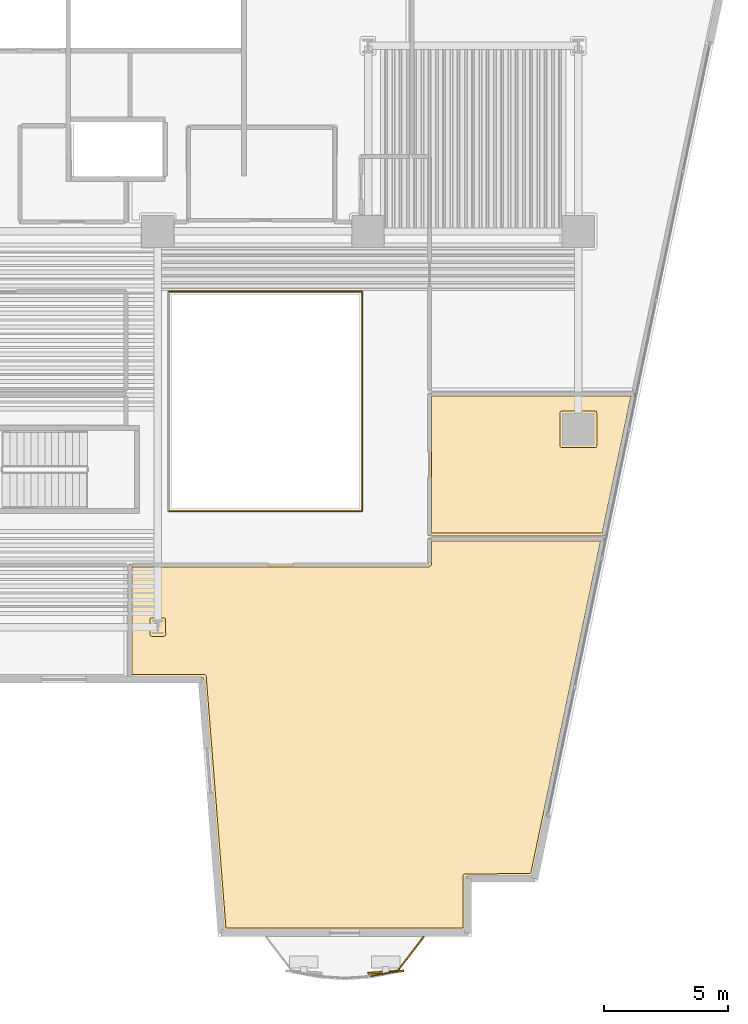
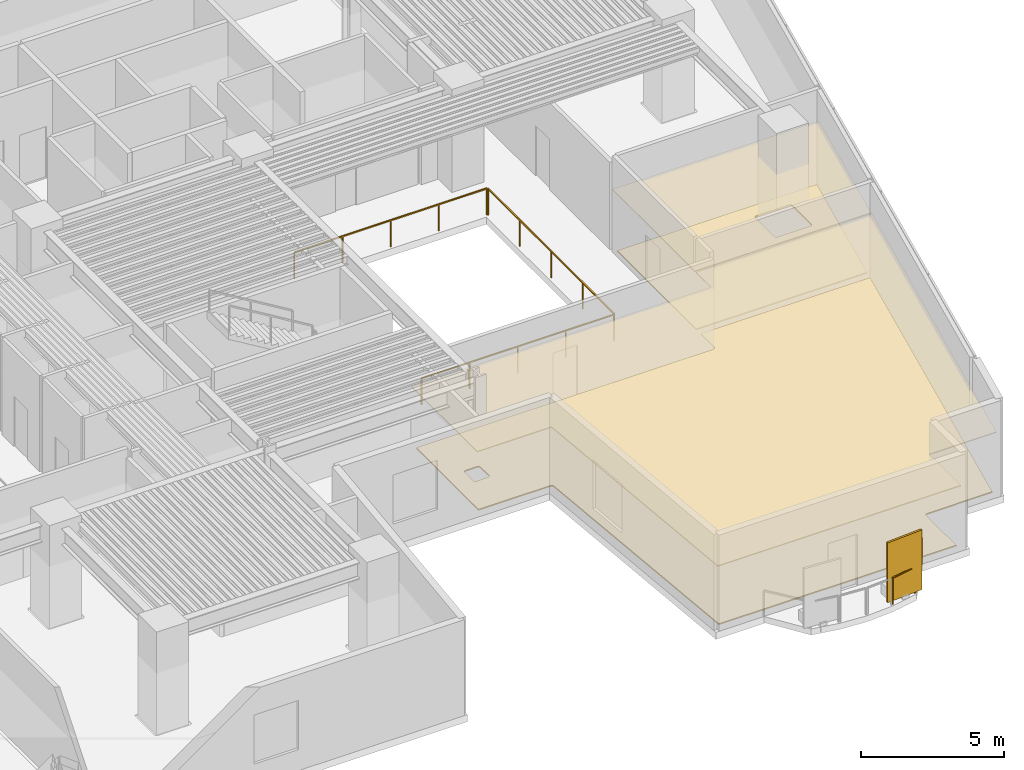
# One storey, part 9 of 11: 5 railings, 4 coverings, 1 shading device.
"""IFC4 building model written with IfcOpenShell, lengths in metres."""

import ifcopenshell
import ifcopenshell.guid

model = None  # the IFC model being written
_history = None  # IfcOwnerHistory: only IFC2X3 demands one
_inside = {}  # id of a spatial element -> (the spatial element, [elements in it])
_under = {}  # id of a project, library or spatial element -> (it, [spatial elements below it])
_declared = {}  # id of a project -> (the project, [libraries it declares])
_typed = {}  # id of a type object -> (the type object, [elements of that type])
_made_of = {}  # id of a material, layer set ... -> (it, [elements and type objects made of it])


def new_model(schema):
    """Start an empty IFC model of exactly this schema.

    Asked for "IFC4X3", IfcOpenShell would pick the latest addendum, in which some entities
    have other attributes; the version numbers below select the first issue.
    IFC2X3 requires an IfcOwnerHistory on every rooted entity: one is made here for all.
    """
    global model, _history
    if schema == "IFC4X3":
        model = ifcopenshell.file(schema_version=(4, 3, 0, 0))
    else:
        model = ifcopenshell.file(schema=schema)
    _inside.clear()
    _under.clear()
    _declared.clear()
    _typed.clear()
    _made_of.clear()
    _history = None
    if model.schema == "IFC2X3":
        org = make("IfcOrganization", Name="unknown")
        user = make(
            "IfcPersonAndOrganization",
            ThePerson=make("IfcPerson", FamilyName="unknown"),
            TheOrganization=org,
        )
        app = make(
            "IfcApplication",
            ApplicationDeveloper=org,
            Version="unknown",
            ApplicationFullName="unknown",
            ApplicationIdentifier="unknown",
        )
        _history = make(
            "IfcOwnerHistory",
            OwningUser=user,
            OwningApplication=app,
            ChangeAction="ADDED",
            CreationDate=0,
        )
    return model


def make(cls, **values):
    """One entity of the class cls with the attributes given. An attribute that is None is left unset."""
    return model.create_entity(
        cls, **{name: value for name, value in values.items() if value is not None}
    )


def rooted(cls, **values):
    """An entity with a GlobalId (a new one), such as an element, a storey or a relation."""
    return make(cls, GlobalId=ifcopenshell.guid.new(), OwnerHistory=_history, **values)


def si_unit(unit_type, name, prefix=None):
    """IfcSIUnit, for example si_unit("LENGTHUNIT", "METRE", prefix="MILLI")."""
    return make("IfcSIUnit", UnitType=unit_type, Prefix=prefix, Name=name)


def assignment(units):
    """IfcUnitAssignment: the units of a project."""
    return None if units is None else make("IfcUnitAssignment", Units=units)


def point(xyz):
    """IfcCartesianPoint."""
    return None if xyz is None else make("IfcCartesianPoint", Coordinates=xyz)


def direction(xyz):
    """IfcDirection."""
    return None if xyz is None else make("IfcDirection", DirectionRatios=xyz)


def frame(location, z_axis=None, x_axis=None):
    """IfcAxis2Placement3D, a coordinate frame: its origin and axes. An axis left out is left unset."""
    return make(
        "IfcAxis2Placement3D",
        Location=point(location),
        Axis=direction(z_axis),
        RefDirection=direction(x_axis),
    )


def frame_2d(location, x_axis=None):
    """IfcAxis2Placement2D, a coordinate frame in the plane: its origin and x axis."""
    return make(
        "IfcAxis2Placement2D", Location=point(location), RefDirection=direction(x_axis)
    )


def origin():
    """The frame at (0, 0, 0) with its axes left unset."""
    return frame((0.0, 0.0, 0.0))


def origin_2d():
    """The frame at (0, 0) in the plane with its x axis left unset."""
    return frame_2d((0.0, 0.0))


def place(relative_to, where):
    """IfcLocalPlacement: puts the frame where relative to a parent placement (None: the world)."""
    return make(
        "IfcLocalPlacement", PlacementRelTo=relative_to, RelativePlacement=where
    )


def context(
    kind, dimensions, precision=None, world=None, true_north=None, identifier=None
):
    """IfcGeometricRepresentationContext, for example the 3D "Model" context."""
    return make(
        "IfcGeometricRepresentationContext",
        ContextIdentifier=identifier,
        ContextType=kind,
        CoordinateSpaceDimension=dimensions,
        Precision=precision,
        WorldCoordinateSystem=world,
        TrueNorth=true_north,
    )


def subcontext(parent, identifier, kind, view, scale=None):
    """IfcGeometricRepresentationSubContext, for example "Body" below "Model"."""
    return make(
        "IfcGeometricRepresentationSubContext",
        ContextIdentifier=identifier,
        ContextType=kind,
        ParentContext=parent,
        TargetScale=scale,
        TargetView=view,
    )


def project(units=None, contexts=None):
    """IfcProject with its units and contexts."""
    return rooted(
        "IfcProject",
        Name="project",
        RepresentationContexts=contexts,
        UnitsInContext=assignment(units),
    )


def spatial(cls, under=None, at=None, **own):
    """A site, building, storey or space (cls), placed at a placement, below another one or the project."""
    s = rooted(cls, ObjectPlacement=at, **own)
    if under is not None:
        _under.setdefault(under.id(), (under, []))[1].append(s)
    return s


def polyline(points):
    """IfcPolyline through the points."""
    return make("IfcPolyline", Points=[point(p) for p in points])


def profile(cls, at=None, kind="AREA", **sizes):
    """A parametric profile (cls). Its sizes go by their IFC names, for example OverallWidth=200.0."""
    return make(cls, ProfileType=kind, Position=at, **sizes)


def rectangle(**sizes):
    """IfcRectangleProfileDef."""
    return profile("IfcRectangleProfileDef", **sizes)


def outline(outer, holes=None, kind="AREA"):
    """IfcArbitraryClosedProfileDef: a profile drawn as a closed curve; with holes, ...WithVoids."""
    if holes is None:
        return make("IfcArbitraryClosedProfileDef", ProfileType=kind, OuterCurve=outer)
    return make(
        "IfcArbitraryProfileDefWithVoids",
        ProfileType=kind,
        OuterCurve=outer,
        InnerCurves=holes,
    )


def extrude(swept, where, along, depth):
    """IfcExtrudedAreaSolid: the profile swept, set in the frame where, extruded along a direction by depth."""
    return make(
        "IfcExtrudedAreaSolid",
        SweptArea=swept,
        Position=where,
        ExtrudedDirection=direction(along),
        Depth=depth,
    )


def shape(context_of_items, identifier, shape_type, items):
    """IfcShapeRepresentation: the items that make up one representation, for example the "Body"."""
    return make(
        "IfcShapeRepresentation",
        ContextOfItems=context_of_items,
        RepresentationIdentifier=identifier,
        RepresentationType=shape_type,
        Items=items,
    )


def material(Name=None, Category=None):
    """IfcMaterial."""
    return make("IfcMaterial", Name=Name, Category=Category)


def layer(
    of_material, thickness, ventilated=None, Name=None, Category=None, Priority=None
):
    """IfcMaterialLayer: one layer of a wall or slab, of a material (None: an air gap)."""
    return make(
        "IfcMaterialLayer",
        Material=of_material,
        LayerThickness=thickness,
        IsVentilated=ventilated,
        Name=Name,
        Category=Category,
        Priority=Priority,
    )


def layer_set(layers, Name=None):
    """IfcMaterialLayerSet."""
    return make("IfcMaterialLayerSet", MaterialLayers=layers, LayerSetName=Name)


def made_of(thing, what):
    """Note that an element or type object is made of a material, layer set ...; save() writes the relation."""
    if what is not None:
        _made_of.setdefault(what.id(), (what, []))[1].append(thing)
    return thing


def type_object(cls, material=None, **own):
    """A type object (cls), such as IfcWallType, which elements share."""
    return made_of(rooted(cls, **own), material)


def element(
    cls,
    number,
    at=None,
    inside=None,
    cuts=None,
    type_object=None,
    material=None,
    context=None,
    identifier="Body",
    shape_type=None,
    held_by="IfcProductDefinitionShape",
    body=None,
    shapes=None,
    **own,
):
    """One element of the class cls, such as IfcWall. Its Tag is "e" and its number.

    at: its placement. inside: the storey or other place that contains it. cuts: it is an
    opening in that element (IfcRelVoidsElement). A single representation is given by context,
    identifier, shape_type and body (its items); several are given by shapes. held_by: the class
    of the entity that holds the representations. save() writes the other relations.
    """
    e = rooted(cls, Tag="e%d" % number, ObjectPlacement=at, **own)
    if body is not None:
        shapes = [shape(context, identifier, shape_type, body)]
    if shapes is not None:
        e.Representation = make(held_by, Representations=shapes)
    if inside is not None:
        _inside.setdefault(inside.id(), (inside, []))[1].append(e)
    if cuts is not None:
        rooted(
            "IfcRelVoidsElement", RelatingBuildingElement=cuts, RelatedOpeningElement=e
        )
    if type_object is not None:
        _typed.setdefault(type_object.id(), (type_object, []))[1].append(e)
    return made_of(e, material)


def aggregate(whole, parts):
    """IfcRelAggregates: a whole, such as a stair, and the parts it consists of."""
    return rooted("IfcRelAggregates", RelatingObject=whole, RelatedObjects=parts)


def save(model, path):
    """Write the relations noted so far, then the file.

    IfcRelAggregates (storeys below a building ...), IfcRelContainedInSpatialStructure (elements
    in a storey), IfcRelDefinesByType, IfcRelAssociatesMaterial and IfcRelDeclares: one each for
    every whole, place, type object, material and project.
    """
    for whole, parts in _under.values():
        aggregate(whole, parts)
    for where, things in _inside.values():
        rooted(
            "IfcRelContainedInSpatialStructure",
            RelatedElements=things,
            RelatingStructure=where,
        )
    for kind, things in _typed.values():
        rooted("IfcRelDefinesByType", RelatedObjects=things, RelatingType=kind)
    for what, things in _made_of.values():
        rooted("IfcRelAssociatesMaterial", RelatedObjects=things, RelatingMaterial=what)
    for by, libraries in _declared.values():
        rooted("IfcRelDeclares", RelatingContext=by, RelatedDefinitions=libraries)
    model.write(path)


model = new_model("IFC4")

# Units and contexts
model_context = context("Model", 3, precision=1e-05, world=origin(), true_north=direction((0.0, 1.0)))
body_context = subcontext(model_context, "Body", "Model", "MODEL_VIEW")
ifc_project = project(units=[si_unit("LENGTHUNIT", "METRE"), si_unit("AREAUNIT", "SQUARE_METRE"), si_unit("VOLUMEUNIT", "CUBIC_METRE"), si_unit("PLANEANGLEUNIT", "RADIAN"), si_unit("MASSUNIT", "GRAM", prefix="KILO")], contexts=[model_context])

# Site, building, storey
site_placement = place(None, origin())
site = spatial("IfcSite", under=ifc_project, at=site_placement, CompositionType="ELEMENT")
building_placement = place(site_placement, origin())
building = spatial("IfcBuilding", under=site, at=building_placement, Name="Caeloran Harvest Quay", CompositionType="ELEMENT")
storey_placement = place(building_placement, frame((0.0, 0.0, 66.60009765625)))
storey = spatial("IfcBuildingStorey", under=building, at=storey_placement, Name="L15", CompositionType="ELEMENT", Elevation=66.60009765625)

# Coverings
ifc_material_1 = material(Name="Perforated Mineral-Fibre Acoustic Ceiling Tile", Category="ceiling")
ifc_layer_1 = layer(ifc_material_1, 0.0400390625, Name="Perforated Mineral-Fibre Acoustic Ceiling Tile")
ifc_layer_set_1 = layer_set([ifc_layer_1], Name="Perforated Mineral-Fibre Acoustic Ceiling Tile")
covering_type_1 = type_object("IfcCoveringType", Name="COV-CEILING-ACOUSTIC", PredefinedType="CEILING", material=ifc_layer_set_1)
covering_1_placement = place(storey_placement, frame((0.0, 0.0, 2.599853515625)))
element("IfcCovering", 1, at=covering_1_placement, inside=storey, type_object=covering_type_1, Name="Medicinal Plant Aeroponic Room Acoustic Ceiling", PredefinedType="CEILING", context=body_context, shape_type="SweptSolid", body=[
    extrude(outline(polyline([(32.840087890625, 17.56005859375), (44.93994140625, 17.56005859375), (44.93994140625, 18.610107421875), (52.04638671875, 18.610107421875), (49.170654296875, 4.919921875), (46.467041015625, 4.919921875), (46.467041015625, 2.719970703125), (36.64404296875, 2.719970703125), (35.843994140625, 12.969970703125), (32.840087890625, 12.969970703125), (32.840087890625, 17.56005859375)])), origin(), (0.0, 0.0, 1.0), 0.0400390625),
])
covering_2_placement = place(storey_placement, frame((0.0, 0.0, 2.599853515625)))
element("IfcCovering", 2, at=covering_2_placement, inside=storey, type_object=covering_type_1, Name="Packaging Crate Laboratory Acoustic Ceiling", PredefinedType="CEILING", context=body_context, shape_type="SweptSolid", body=[
    extrude(outline(polyline([(44.93994140625, 24.4599609375), (53.275390625, 24.4599609375), (52.063232421875, 18.68994140625), (44.93994140625, 18.68994140625), (44.93994140625, 24.4599609375)])), origin(), (0.0, 0.0, 1.0), 0.0400390625),
])
ifc_material_2 = material(Name="Calcium-Sulphate Raised Access Floor and Terrazzo Finish", Category="flooring")
ifc_layer_2 = layer(ifc_material_2, 0.050048828125, Name="Calcium-Sulphate Raised Access Floor and Terrazzo Finish")
ifc_layer_set_2 = layer_set([ifc_layer_2], Name="Calcium-Sulphate Raised Access Floor and Terrazzo Finish")
covering_type_2 = type_object("IfcCoveringType", Name="COV-FLOOR-RAISED", PredefinedType="FLOORING", material=ifc_layer_set_2)
covering_3_placement = place(storey_placement, origin())
element("IfcCovering", 3, at=covering_3_placement, inside=storey, type_object=covering_type_2, Name="Medicinal Plant Aeroponic Room Raised Finish Flooring", PredefinedType="FLOORING", context=body_context, shape_type="SweptSolid", body=[
    extrude(outline(polyline([(32.9599609375, 13.090087890625), (32.9599609375, 17.43994140625), (44.98779296875, 17.4404296875), (45.0595703125, 17.51220703125), (45.06005859375, 18.489990234375), (51.898681640625, 18.489990234375), (49.0732421875, 5.0400390625), (46.376220703125, 5.021728515625), (46.346923828125, 4.9599609375), (46.346923828125, 2.840087890625), (36.7548828125, 2.840087890625), (35.955322265625, 13.039306640625), (35.881103515625, 13.090087890625), (32.9599609375, 13.090087890625)]), holes=[polyline([(33.758056640625, 15.37939453125), (33.701416015625, 15.356201171875), (33.678466796875, 15.307373046875), (33.69140625, 14.656005859375), (33.758056640625, 14.62060546875), (34.286376953125, 14.634033203125), (34.322021484375, 14.700439453125), (34.30859375, 15.343994140625), (34.249755859375, 15.379150390625), (33.758056640625, 15.37939453125)])]), origin(), (0.0, 0.0, 1.0), 0.0498046875),
])
covering_4_placement = place(storey_placement, origin())
element("IfcCovering", 4, at=covering_4_placement, inside=storey, type_object=covering_type_2, Name="Packaging Crate Laboratory Raised Finish Flooring", PredefinedType="FLOORING", context=body_context, shape_type="SweptSolid", body=[
    extrude(outline(polyline([(45.06005859375, 18.81005859375), (45.06005859375, 24.340087890625), (53.127685546875, 24.340087890625), (51.9658203125, 18.81005859375), (45.06005859375, 18.81005859375)]), holes=[polyline([(51.7451171875, 23.6650390625), (51.7216796875, 23.7216796875), (51.6650390625, 23.7451171875), (50.3349609375, 23.7451171875), (50.2783203125, 23.7216796875), (50.2548828125, 23.6650390625), (50.2548828125, 22.3349609375), (50.2783203125, 22.2783203125), (50.3349609375, 22.2548828125), (51.6650390625, 22.2548828125), (51.7216796875, 22.2783203125), (51.7451171875, 22.3349609375), (51.7451171875, 23.6650390625)])]), origin(), (0.0, 0.0, 1.0), 0.0498046875),
])

# Railings
ifc_material_3 = material(Name="Powder-Coated Steel Post and Laminated Glass Guardrail", Category="steel")
ifc_layer_3 = layer(ifc_material_3, 0.06005859375, Name="Powder-Coated Steel Post and Laminated Glass Guardrail")
ifc_layer_set_3 = layer_set([ifc_layer_3], Name="Powder-Coated Steel Post and Laminated Glass Guardrail")
railing_type_1 = type_object("IfcRailingType", Name="GUARD-ATRIUM-1150", PredefinedType="GUARDRAIL", material=ifc_layer_set_3)
railing_1_placement = place(storey_placement, frame((34.4619140625, 19.679931640625, 0.0)))
element("IfcRailing", 5, at=railing_1_placement, inside=storey, type_object=railing_type_1, Name="L15 East Botanical Lightwell Guardrail Seg 1", PredefinedType="GUARDRAIL", context=body_context, shape_type="SweptSolid", body=[
    extrude(rectangle(XDim=0.048095703125, YDim=0.048095703125, at=origin_2d()), frame((0.0, 0.0, 1.1259765625), z_axis=(1.0, 0.0, 0.0), x_axis=(0.0, 1.0, 0.0)), (0.0, 0.0, 1.0), 7.776123046875),
    extrude(rectangle(XDim=0.0419921875, YDim=0.0419921875, at=origin_2d()), origin(), (0.0, 0.0, 1.0), 1.101806640625),
    extrude(rectangle(XDim=0.0419921875, YDim=0.0419921875, at=origin_2d()), frame((1.944091796875, 0.0, 0.0)), (0.0, 0.0, 1.0), 1.101806640625),
    extrude(rectangle(XDim=0.0419921875, YDim=0.0419921875, at=origin_2d()), frame((3.88818359375, 0.0, 0.0)), (0.0, 0.0, 1.0), 1.101806640625),
    extrude(rectangle(XDim=0.0419921875, YDim=0.0419921875, at=origin_2d()), frame((5.83203125, 0.0, 0.0)), (0.0, 0.0, 1.0), 1.101806640625),
    extrude(rectangle(XDim=0.0419921875, YDim=0.0419921875, at=origin_2d()), frame((7.776123046875, 0.0, 0.0)), (0.0, 0.0, 1.0), 1.101806640625),
])
railing_2_placement = place(storey_placement, frame((42.27001953125, 19.7119140625, 0.0)))
element("IfcRailing", 6, at=railing_2_placement, inside=storey, type_object=railing_type_1, Name="L15 East Botanical Lightwell Guardrail Seg 2", PredefinedType="GUARDRAIL", context=body_context, shape_type="SweptSolid", body=[
    extrude(rectangle(XDim=0.048095703125, YDim=0.048095703125, at=origin_2d()), frame((0.0, 0.0, 1.1259765625), z_axis=(0.0, 1.0, 0.0), x_axis=(-1.0, 0.0, 0.0)), (0.0, 0.0, 1.0), 8.826171875),
    extrude(rectangle(XDim=0.0419921875, YDim=0.0419921875, at=origin_2d()), origin(), (0.0, 0.0, 1.0), 1.101806640625),
    extrude(rectangle(XDim=0.0419921875, YDim=0.0419921875, at=origin_2d()), frame((0.0, 2.20654296875, 0.0)), (0.0, 0.0, 1.0), 1.101806640625),
    extrude(rectangle(XDim=0.0419921875, YDim=0.0419921875, at=origin_2d()), frame((0.0, 4.4130859375, 0.0)), (0.0, 0.0, 1.0), 1.101806640625),
    extrude(rectangle(XDim=0.0419921875, YDim=0.0419921875, at=origin_2d()), frame((0.0, 6.61962890625, 0.0)), (0.0, 0.0, 1.0), 1.101806640625),
    extrude(rectangle(XDim=0.0419921875, YDim=0.0419921875, at=origin_2d()), frame((0.0, 8.826171875, 0.0)), (0.0, 0.0, 1.0), 1.101806640625),
])
railing_3_placement = place(storey_placement, frame((42.238037109375, 28.570068359375, 0.0)))
element("IfcRailing", 7, at=railing_3_placement, inside=storey, type_object=railing_type_1, Name="L15 East Botanical Lightwell Guardrail Seg 3", PredefinedType="GUARDRAIL", context=body_context, shape_type="SweptSolid", body=[
    extrude(rectangle(XDim=0.048095703125, YDim=0.048095703125, at=origin_2d()), frame((0.0, 0.0, 1.1259765625), z_axis=(-1.0, 0.0, 0.0), x_axis=(0.0, -1.0, 0.0)), (0.0, 0.0, 1.0), 7.776123046875),
    extrude(rectangle(XDim=0.0419921875, YDim=0.0419921875, at=origin_2d()), origin(), (0.0, 0.0, 1.0), 1.101806640625),
    extrude(rectangle(XDim=0.0419921875, YDim=0.0419921875, at=origin_2d()), frame((-1.944091796875, 0.0, 0.0)), (0.0, 0.0, 1.0), 1.101806640625),
    extrude(rectangle(XDim=0.0419921875, YDim=0.0419921875, at=origin_2d()), frame((-3.88818359375, 0.0, 0.0)), (0.0, 0.0, 1.0), 1.101806640625),
    extrude(rectangle(XDim=0.0419921875, YDim=0.0419921875, at=origin_2d()), frame((-5.83203125, 0.0, 0.0)), (0.0, 0.0, 1.0), 1.101806640625),
    extrude(rectangle(XDim=0.0419921875, YDim=0.0419921875, at=origin_2d()), frame((-7.776123046875, 0.0, 0.0)), (0.0, 0.0, 1.0), 1.101806640625),
])
ifc_material_4 = material(Name="Laminated Safety Glass and Stainless Steel 316", Category="steel")
ifc_layer_4 = layer(ifc_material_4, 0.06005859375, Name="Laminated Safety Glass and Stainless Steel 316")
ifc_layer_set_4 = layer_set([ifc_layer_4], Name="Laminated Safety Glass and Stainless Steel 316")
railing_type_2 = type_object("IfcRailingType", Name="GUARD-BALUSTRADE-1150", PredefinedType="BALUSTRADE", material=ifc_layer_set_4)
railing_4_placement = place(storey_placement, frame((44.7509765625, 2.47998046875, 0.0)))
element("IfcRailing", 8, at=railing_4_placement, inside=storey, type_object=railing_type_2, Name="L15 Planted Balcony Perimeter Balustrade Guard Seg 1", PredefinedType="BALUSTRADE", context=body_context, shape_type="SweptSolid", body=[
    extrude(rectangle(XDim=0.048095703125, YDim=0.048095703125, at=origin_2d()), frame((0.0, 0.0, 1.1259765625), z_axis=(-0.608658470771, -0.793432332312, 0.0), x_axis=(0.793432332312, -0.608658470771, 0.0)), (0.0, 0.0, 1.0), 1.71630859375),
    extrude(rectangle(XDim=0.0419921875, YDim=0.0419921875, at=origin_2d()), origin(), (0.0, 0.0, 1.0), 1.101806640625),
    extrude(rectangle(XDim=0.0419921875, YDim=0.0419921875, at=origin_2d()), frame((-1.044677734375, -1.36181640625, 0.0)), (0.0, 0.0, 1.0), 1.101806640625),
])
railing_5_placement = place(storey_placement, frame((43.655517578125, 1.0869140625, 0.0)))
element("IfcRailing", 9, at=railing_5_placement, inside=storey, type_object=railing_type_2, Name="L15 Planted Balcony Perimeter Balustrade Guard Seg 2", PredefinedType="BALUSTRADE", context=body_context, shape_type="SweptSolid", body=[
    extrude(rectangle(XDim=0.048095703125, YDim=0.048095703125, at=origin_2d()), frame((0.0, 0.0, 1.1259765625), z_axis=(-0.982309209999, -0.187266163388, 0.0), x_axis=(0.187266163388, -0.982309209999, 0.0)), (0.0, 0.0, 1.0), 1.01953125),
    extrude(rectangle(XDim=0.0419921875, YDim=0.0419921875, at=origin_2d()), origin(), (0.0, 0.0, 1.0), 1.101806640625),
    extrude(rectangle(XDim=0.0419921875, YDim=0.0419921875, at=origin_2d()), frame((-1.00146484375, -0.19091796875, 0.0)), (0.0, 0.0, 1.0), 1.101806640625),
])

# Shading device
ifc_material_5 = material(Name="3003-H14 Perforated Powder-Coated Aluminium", Category="aluminium")
shading_device_type = type_object("IfcShadingDeviceType", Name="SHADE-SCREEN-FOLDED", PredefinedType="USERDEFINED", material=ifc_material_5)
shading_device_placement = place(storey_placement, frame((43.218505859375, 1.056396484375, 0.07470703125), z_axis=(0.0, 0.0, 1.0), x_axis=(0.997801468292, 0.0662739004, 0.0)))
element("IfcShadingDevice", 10, at=shading_device_placement, inside=storey, type_object=shading_device_type, Name="L15 Folded Facade Breathing Screen 1", ObjectType="SCREEN", PredefinedType="USERDEFINED", context=body_context, shape_type="SweptSolid", body=[
    extrude(rectangle(XDim=1.449951171875, YDim=0.080078125, at=origin_2d()), origin(), (0.0, 0.0, 1.0), 2.550048828125),
])

save(model, "model.ifc")
